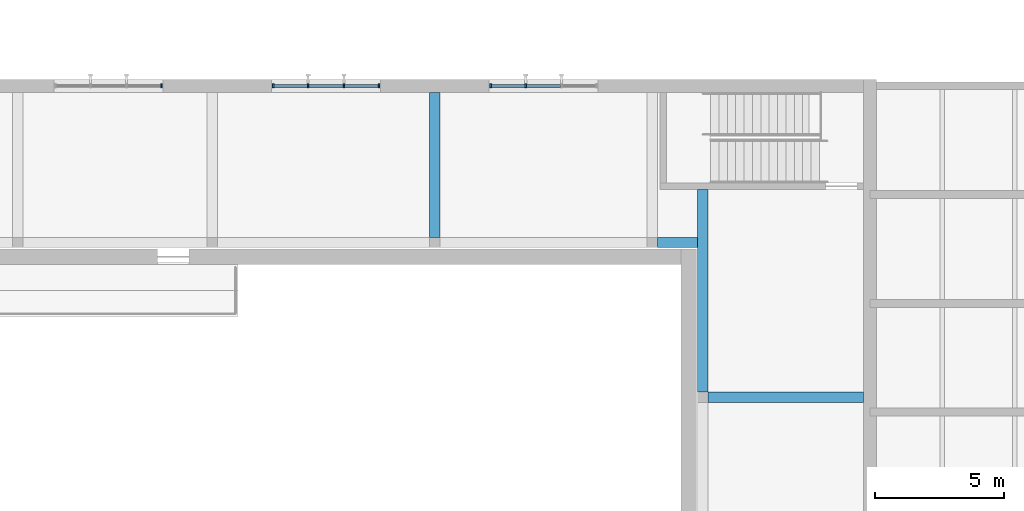
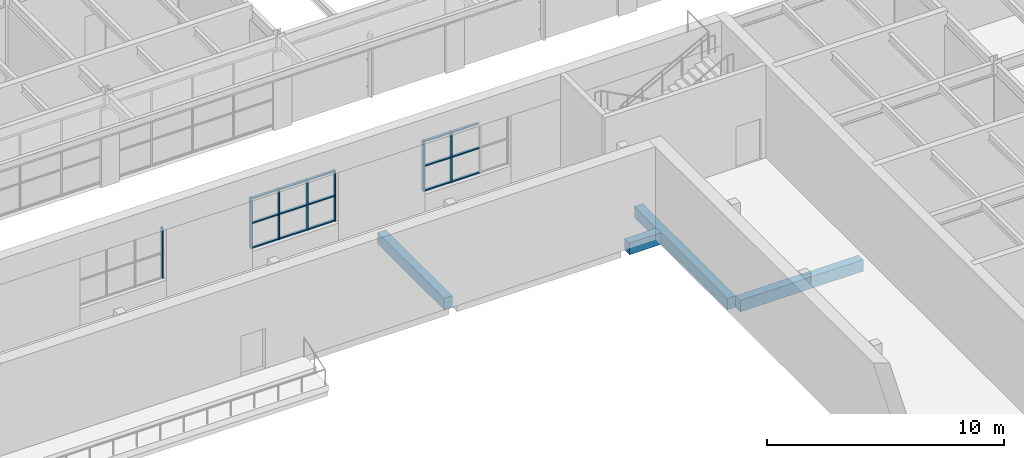
# One storey, part 46 of 116: 22 members, 4 beams, 3 elements without a shape of their own.
"""IFC4 building model written with IfcOpenShell, lengths in metres."""

from ifc_helpers import new_model, si_unit, direction, frame, origin, origin_2d, place, context, subcontext, project, spatial, rectangle, extrude, material, material_profile, profile_set, type_object, element, aggregate, save


model = new_model("IFC4")

# Units and contexts
model_context = context("Model", 3, precision=1e-05, world=origin(), true_north=direction((0.0, 1.0)))
body_context = subcontext(model_context, "Body", "Model", "MODEL_VIEW")
ifc_project = project(units=[si_unit("LENGTHUNIT", "METRE"), si_unit("AREAUNIT", "SQUARE_METRE"), si_unit("VOLUMEUNIT", "CUBIC_METRE"), si_unit("PLANEANGLEUNIT", "RADIAN"), si_unit("MASSUNIT", "GRAM", prefix="KILO")], contexts=[model_context])

# Site, building, storey
site_placement = place(None, origin())
site = spatial("IfcSite", under=ifc_project, at=site_placement, CompositionType="ELEMENT")
building_placement = place(site_placement, origin())
building = spatial("IfcBuilding", under=site, at=building_placement, Name="Ljudholm Concert House", CompositionType="ELEMENT")
storey_placement = place(building_placement, frame((0.0, 0.0, 10.199951171875)))
storey = spatial("IfcBuildingStorey", under=building, at=storey_placement, Name="L02", CompositionType="ELEMENT", Elevation=10.199951171875)

# Curtain wall, member
ifc_material_1 = material(Name="Aluminium curtain wall with impact-rated laminated glass", Category="aluminium")
curtain_wall_type = type_object("IfcCurtainWallType", Name="CURTAIN WALL 1400", PredefinedType="NOTDEFINED", material=ifc_material_1)
curtain_wall_1_placement = place(storey_placement, origin())
curtain_wall_1 = element("IfcCurtainWall", 1, at=curtain_wall_1_placement, inside=storey, type_object=curtain_wall_type, Name="Promenade curtain wall", PredefinedType="NOTDEFINED")
ifc_material_2 = material(Name="Aluminium extrusion", Category="aluminium")
ifc_material_profile_1 = material_profile(ifc_material_2, rectangle(XDim=0.159912109375, YDim=0.06005859375, at=origin_2d()), Name="MULLION 60x160")
ifc_profile_set_1 = profile_set([ifc_material_profile_1], Name="Aluminium extrusion")
member_type_1 = type_object("IfcMemberType", Name="MULLION 60x160", PredefinedType="MULLION", material=ifc_profile_set_1)
member_1_placement = place(storey_placement, frame((69.0400390625, 96.39990234375, 0.900146484375), z_axis=(0.0, 0.0, 1.0), x_axis=(0.0, 1.0, 0.0)))
member_1 = element("IfcMember", 2, at=member_1_placement, type_object=member_type_1, Name="Mullion", PredefinedType="MULLION", context=body_context, shape_type="SweptSolid", body=[
    extrude(rectangle(XDim=0.159912109375, YDim=0.06005859375, at=origin_2d()), origin(), (0.0, 0.0, 1.0), 2.599853515625),
])
aggregate(curtain_wall_1, [member_1])

# Curtain wall, members
curtain_wall_2_placement = place(storey_placement, origin())
curtain_wall_2 = element("IfcCurtainWall", 3, at=curtain_wall_2_placement, inside=storey, type_object=curtain_wall_type, Name="Promenade curtain wall", PredefinedType="NOTDEFINED")
member_2_placement = place(storey_placement, frame((73.360107421875, 96.39990234375, 0.900146484375), z_axis=(0.0, 0.0, 1.0), x_axis=(0.0, 1.0, 0.0)))
member_2 = element("IfcMember", 4, at=member_2_placement, type_object=member_type_1, Name="Mullion", PredefinedType="MULLION", context=body_context, shape_type="SweptSolid", body=[
    extrude(rectangle(XDim=0.159912109375, YDim=0.06005859375, at=origin_2d()), origin(), (0.0, 0.0, 1.0), 2.599853515625),
])
member_3_placement = place(storey_placement, frame((74.7099609375, 96.39990234375, 0.900146484375), z_axis=(0.0, 0.0, 1.0), x_axis=(0.0, 1.0, 0.0)))
member_3 = element("IfcMember", 5, at=member_3_placement, type_object=member_type_1, Name="Mullion", PredefinedType="MULLION", context=body_context, shape_type="SweptSolid", body=[
    extrude(rectangle(XDim=0.159912109375, YDim=0.06005859375, at=origin_2d()), origin(), (0.0, 0.0, 1.0), 2.599853515625),
])
member_4_placement = place(storey_placement, frame((76.090087890625, 96.39990234375, 0.900146484375), z_axis=(0.0, 0.0, 1.0), x_axis=(0.0, 1.0, 0.0)))
member_4 = element("IfcMember", 6, at=member_4_placement, type_object=member_type_1, Name="Mullion", PredefinedType="MULLION", context=body_context, shape_type="SweptSolid", body=[
    extrude(rectangle(XDim=0.159912109375, YDim=0.06005859375, at=origin_2d()), origin(), (0.0, 0.0, 1.0), 2.599853515625),
])
member_5_placement = place(storey_placement, frame((77.43994140625, 96.39990234375, 0.900146484375), z_axis=(0.0, 0.0, 1.0), x_axis=(0.0, 1.0, 0.0)))
member_5 = element("IfcMember", 7, at=member_5_placement, type_object=member_type_1, Name="Mullion", PredefinedType="MULLION", context=body_context, shape_type="SweptSolid", body=[
    extrude(rectangle(XDim=0.159912109375, YDim=0.06005859375, at=origin_2d()), origin(), (0.0, 0.0, 1.0), 2.599853515625),
])

curtain_wall_3_placement = place(storey_placement, origin())
curtain_wall_3 = element("IfcCurtainWall", 8, at=curtain_wall_3_placement, inside=storey, type_object=curtain_wall_type, Name="Promenade curtain wall", PredefinedType="NOTDEFINED")
member_6_placement = place(storey_placement, frame((81.760009765625, 96.39990234375, 0.900146484375), z_axis=(0.0, 0.0, 1.0), x_axis=(0.0, 1.0, 0.0)))
member_6 = element("IfcMember", 9, at=member_6_placement, type_object=member_type_1, Name="Mullion", PredefinedType="MULLION", context=body_context, shape_type="SweptSolid", body=[
    extrude(rectangle(XDim=0.159912109375, YDim=0.06005859375, at=origin_2d()), origin(), (0.0, 0.0, 1.0), 2.599853515625),
])
member_7_placement = place(storey_placement, frame((83.110107421875, 96.39990234375, 0.900146484375), z_axis=(0.0, 0.0, 1.0), x_axis=(0.0, 1.0, 0.0)))
member_7 = element("IfcMember", 10, at=member_7_placement, type_object=member_type_1, Name="Mullion", PredefinedType="MULLION", context=body_context, shape_type="SweptSolid", body=[
    extrude(rectangle(XDim=0.159912109375, YDim=0.06005859375, at=origin_2d()), origin(), (0.0, 0.0, 1.0), 2.599853515625),
])

# Beams
ifc_material_3 = material(Name="Concrete 6,500 psi", Category="concrete")
ifc_material_profile_2 = material_profile(ifc_material_3, rectangle(XDim=0.39990234375, YDim=0.60009765625, at=origin_2d()), Name="RC BEAM 400x600")
ifc_profile_set_2 = profile_set([ifc_material_profile_2], Name="Concrete 6,500 psi")
beam_type = type_object("IfcBeamType", Name="RC BEAM 400x600", PredefinedType="BEAM", material=ifc_profile_set_2)
beam_1_placement = place(storey_placement, frame((79.60009765625, 90.550048828125, -0.550048828125), z_axis=(0.0, 1.0, 0.0), x_axis=(-1.0, 0.0, 0.0)))
element("IfcBeam", 11, at=beam_1_placement, inside=storey, type_object=beam_type, Name="Ring cross beam", PredefinedType="BEAM", context=body_context, shape_type="SweptSolid", body=[
    extrude(rectangle(XDim=0.39990234375, YDim=0.60009765625, at=origin_2d()), origin(), (0.0, 0.0, 1.0), 5.599853515625),
])
beam_2_placement = place(storey_placement, frame((90.14990234375, 84.3701171875, -0.550048828125), z_axis=(1.0, 0.0, 0.0), x_axis=(0.0, 1.0, 0.0)))
element("IfcBeam", 12, at=beam_2_placement, inside=storey, type_object=beam_type, Name="Ring cross beam", PredefinedType="BEAM", context=body_context, shape_type="SweptSolid", body=[
    extrude(rectangle(XDim=0.39990234375, YDim=0.60009765625, at=origin_2d()), origin(), (0.0, 0.0, 1.0), 6.0),
])
beam_3_placement = place(storey_placement, frame((88.199951171875, 90.35009765625, -0.550048828125), z_axis=(1.0, 0.0, 0.0), x_axis=(0.0, 1.0, 0.0)))
element("IfcBeam", 13, at=beam_3_placement, inside=storey, type_object=beam_type, Name="Ring beam", PredefinedType="BEAM", context=body_context, shape_type="SweptSolid", body=[
    extrude(rectangle(XDim=0.39990234375, YDim=0.60009765625, at=origin_2d()), origin(), (0.0, 0.0, 1.0), 1.550048828125),
])
beam_4_placement = place(storey_placement, frame((89.949951171875, 84.570068359375, -0.550048828125), z_axis=(0.0, 1.0, 0.0), x_axis=(-1.0, 0.0, 0.0)))
element("IfcBeam", 14, at=beam_4_placement, inside=storey, type_object=beam_type, Name="Ring beam", PredefinedType="BEAM", context=body_context, shape_type="SweptSolid", body=[
    extrude(rectangle(XDim=0.39990234375, YDim=0.60009765625, at=origin_2d()), origin(), (0.0, 0.0, 1.0), 7.829833984375),
])

# Member
ifc_material_4 = material(Name="Aluminium extrusion", Category="aluminium")
ifc_material_profile_3 = material_profile(ifc_material_4, rectangle(XDim=0.1201171875, YDim=0.06005859375, at=origin_2d()), Name="TRANSOM 60x120")
ifc_profile_set_3 = profile_set([ifc_material_profile_3], Name="Aluminium extrusion")
member_type_2 = type_object("IfcMemberType", Name="TRANSOM 60x120", PredefinedType="USERDEFINED", material=ifc_profile_set_3)
member_8_placement = place(storey_placement, frame((73.389892578125, 96.39990234375, 0.929931640625), z_axis=(1.0, 0.0, 0.0), x_axis=(0.0, 1.0, 0.0)))
member_8 = element("IfcMember", 15, at=member_8_placement, type_object=member_type_2, Name="Transom", ObjectType="TRANSOM", PredefinedType="USERDEFINED", context=body_context, shape_type="SweptSolid", body=[
    extrude(rectangle(XDim=0.1201171875, YDim=0.06005859375, at=origin_2d()), origin(), (0.0, 0.0, 1.0), 1.2900390625),
])

member_9_placement = place(storey_placement, frame((73.389892578125, 96.39990234375, 2.199951171875), z_axis=(1.0, 0.0, 0.0), x_axis=(0.0, 1.0, 0.0)))
member_9 = element("IfcMember", 16, at=member_9_placement, type_object=member_type_2, Name="Transom", ObjectType="TRANSOM", PredefinedType="USERDEFINED", context=body_context, shape_type="SweptSolid", body=[
    extrude(rectangle(XDim=0.1201171875, YDim=0.06005859375, at=origin_2d()), origin(), (0.0, 0.0, 1.0), 1.2900390625),
])

member_10_placement = place(storey_placement, frame((73.389892578125, 96.39990234375, 3.469970703125), z_axis=(1.0, 0.0, 0.0), x_axis=(0.0, 1.0, 0.0)))
member_10 = element("IfcMember", 17, at=member_10_placement, type_object=member_type_2, Name="Transom", ObjectType="TRANSOM", PredefinedType="USERDEFINED", context=body_context, shape_type="SweptSolid", body=[
    extrude(rectangle(XDim=0.1201171875, YDim=0.06005859375, at=origin_2d()), origin(), (0.0, 0.0, 1.0), 1.2900390625),
])

member_11_placement = place(storey_placement, frame((74.739990234375, 96.39990234375, 0.929931640625), z_axis=(1.0, 0.0, 0.0), x_axis=(0.0, 1.0, 0.0)))
member_11 = element("IfcMember", 18, at=member_11_placement, type_object=member_type_2, Name="Transom", ObjectType="TRANSOM", PredefinedType="USERDEFINED", context=body_context, shape_type="SweptSolid", body=[
    extrude(rectangle(XDim=0.1201171875, YDim=0.06005859375, at=origin_2d()), origin(), (0.0, 0.0, 1.0), 1.320068359375),
])

member_12_placement = place(storey_placement, frame((74.739990234375, 96.39990234375, 2.199951171875), z_axis=(1.0, 0.0, 0.0), x_axis=(0.0, 1.0, 0.0)))
member_12 = element("IfcMember", 19, at=member_12_placement, type_object=member_type_2, Name="Transom", ObjectType="TRANSOM", PredefinedType="USERDEFINED", context=body_context, shape_type="SweptSolid", body=[
    extrude(rectangle(XDim=0.1201171875, YDim=0.06005859375, at=origin_2d()), origin(), (0.0, 0.0, 1.0), 1.320068359375),
])

member_13_placement = place(storey_placement, frame((74.739990234375, 96.39990234375, 3.469970703125), z_axis=(1.0, 0.0, 0.0), x_axis=(0.0, 1.0, 0.0)))
member_13 = element("IfcMember", 20, at=member_13_placement, type_object=member_type_2, Name="Transom", ObjectType="TRANSOM", PredefinedType="USERDEFINED", context=body_context, shape_type="SweptSolid", body=[
    extrude(rectangle(XDim=0.1201171875, YDim=0.06005859375, at=origin_2d()), origin(), (0.0, 0.0, 1.0), 1.320068359375),
])

member_14_placement = place(storey_placement, frame((76.1201171875, 96.39990234375, 0.929931640625), z_axis=(1.0, 0.0, 0.0), x_axis=(0.0, 1.0, 0.0)))
member_14 = element("IfcMember", 21, at=member_14_placement, type_object=member_type_2, Name="Transom", ObjectType="TRANSOM", PredefinedType="USERDEFINED", context=body_context, shape_type="SweptSolid", body=[
    extrude(rectangle(XDim=0.1201171875, YDim=0.06005859375, at=origin_2d()), origin(), (0.0, 0.0, 1.0), 1.289794921875),
])

member_15_placement = place(storey_placement, frame((76.1201171875, 96.39990234375, 2.199951171875), z_axis=(1.0, 0.0, 0.0), x_axis=(0.0, 1.0, 0.0)))
member_15 = element("IfcMember", 22, at=member_15_placement, type_object=member_type_2, Name="Transom", ObjectType="TRANSOM", PredefinedType="USERDEFINED", context=body_context, shape_type="SweptSolid", body=[
    extrude(rectangle(XDim=0.1201171875, YDim=0.06005859375, at=origin_2d()), origin(), (0.0, 0.0, 1.0), 1.289794921875),
])

member_16_placement = place(storey_placement, frame((76.1201171875, 96.39990234375, 3.469970703125), z_axis=(1.0, 0.0, 0.0), x_axis=(0.0, 1.0, 0.0)))
member_16 = element("IfcMember", 23, at=member_16_placement, type_object=member_type_2, Name="Transom", ObjectType="TRANSOM", PredefinedType="USERDEFINED", context=body_context, shape_type="SweptSolid", body=[
    extrude(rectangle(XDim=0.1201171875, YDim=0.06005859375, at=origin_2d()), origin(), (0.0, 0.0, 1.0), 1.289794921875),
])

aggregate(curtain_wall_2, [member_2, member_3, member_4, member_5, member_8, member_9, member_10, member_11, member_12, member_13, member_14, member_15, member_16])

member_17_placement = place(storey_placement, frame((81.7900390625, 96.39990234375, 0.929931640625), z_axis=(1.0, 0.0, 0.0), x_axis=(0.0, 1.0, 0.0)))
member_17 = element("IfcMember", 24, at=member_17_placement, type_object=member_type_2, Name="Transom", ObjectType="TRANSOM", PredefinedType="USERDEFINED", context=body_context, shape_type="SweptSolid", body=[
    extrude(rectangle(XDim=0.1201171875, YDim=0.06005859375, at=origin_2d()), origin(), (0.0, 0.0, 1.0), 1.2900390625),
])

member_18_placement = place(storey_placement, frame((81.7900390625, 96.39990234375, 2.199951171875), z_axis=(1.0, 0.0, 0.0), x_axis=(0.0, 1.0, 0.0)))
member_18 = element("IfcMember", 25, at=member_18_placement, type_object=member_type_2, Name="Transom", ObjectType="TRANSOM", PredefinedType="USERDEFINED", context=body_context, shape_type="SweptSolid", body=[
    extrude(rectangle(XDim=0.1201171875, YDim=0.06005859375, at=origin_2d()), origin(), (0.0, 0.0, 1.0), 1.2900390625),
])

member_19_placement = place(storey_placement, frame((81.7900390625, 96.39990234375, 3.469970703125), z_axis=(1.0, 0.0, 0.0), x_axis=(0.0, 1.0, 0.0)))
member_19 = element("IfcMember", 26, at=member_19_placement, type_object=member_type_2, Name="Transom", ObjectType="TRANSOM", PredefinedType="USERDEFINED", context=body_context, shape_type="SweptSolid", body=[
    extrude(rectangle(XDim=0.1201171875, YDim=0.06005859375, at=origin_2d()), origin(), (0.0, 0.0, 1.0), 1.2900390625),
])

member_20_placement = place(storey_placement, frame((83.139892578125, 96.39990234375, 0.929931640625), z_axis=(1.0, 0.0, 0.0), x_axis=(0.0, 1.0, 0.0)))
member_20 = element("IfcMember", 27, at=member_20_placement, type_object=member_type_2, Name="Transom", ObjectType="TRANSOM", PredefinedType="USERDEFINED", context=body_context, shape_type="SweptSolid", body=[
    extrude(rectangle(XDim=0.1201171875, YDim=0.06005859375, at=origin_2d()), origin(), (0.0, 0.0, 1.0), 1.320068359375),
])

member_21_placement = place(storey_placement, frame((83.139892578125, 96.39990234375, 2.199951171875), z_axis=(1.0, 0.0, 0.0), x_axis=(0.0, 1.0, 0.0)))
member_21 = element("IfcMember", 28, at=member_21_placement, type_object=member_type_2, Name="Transom", ObjectType="TRANSOM", PredefinedType="USERDEFINED", context=body_context, shape_type="SweptSolid", body=[
    extrude(rectangle(XDim=0.1201171875, YDim=0.06005859375, at=origin_2d()), origin(), (0.0, 0.0, 1.0), 1.320068359375),
])

member_22_placement = place(storey_placement, frame((83.139892578125, 96.39990234375, 3.469970703125), z_axis=(1.0, 0.0, 0.0), x_axis=(0.0, 1.0, 0.0)))
member_22 = element("IfcMember", 29, at=member_22_placement, type_object=member_type_2, Name="Transom", ObjectType="TRANSOM", PredefinedType="USERDEFINED", context=body_context, shape_type="SweptSolid", body=[
    extrude(rectangle(XDim=0.1201171875, YDim=0.06005859375, at=origin_2d()), origin(), (0.0, 0.0, 1.0), 1.320068359375),
])

aggregate(curtain_wall_3, [member_6, member_7, member_17, member_18, member_19, member_20, member_21, member_22])

save(model, "model.ifc")
